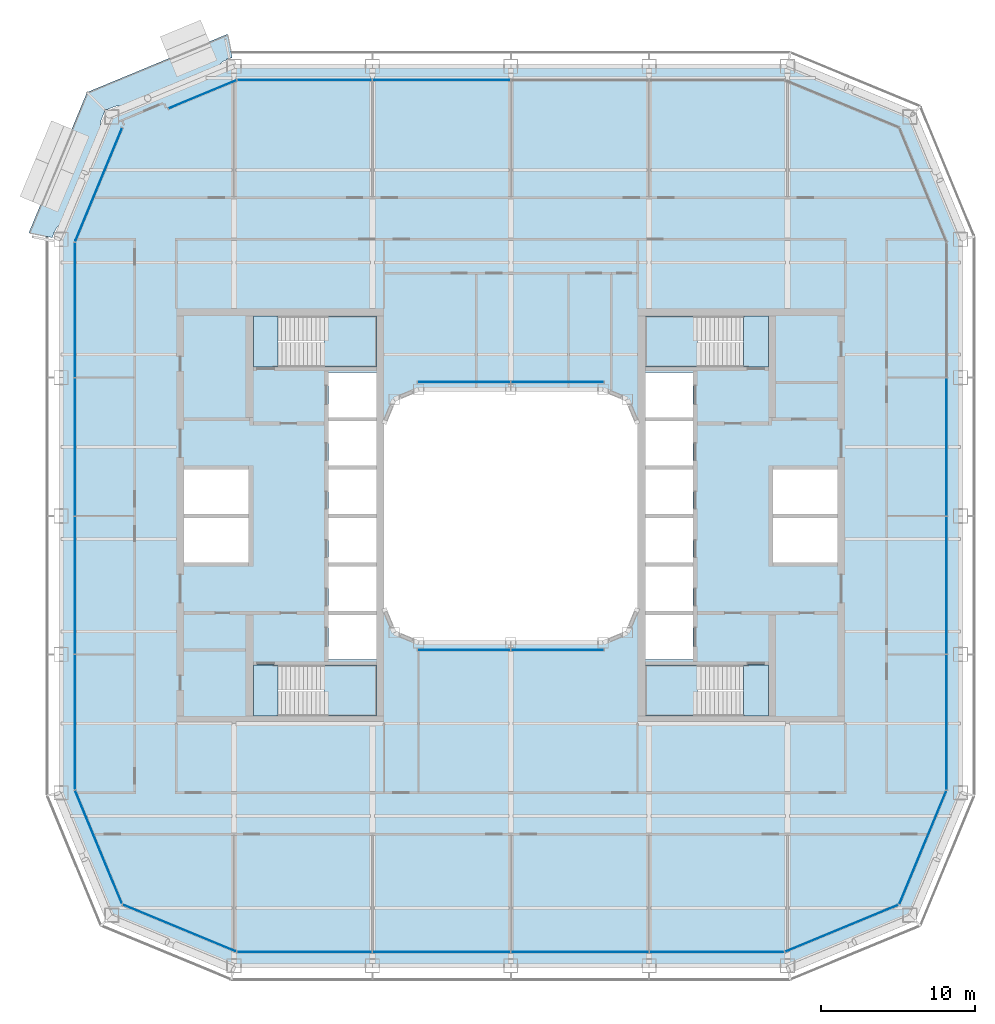
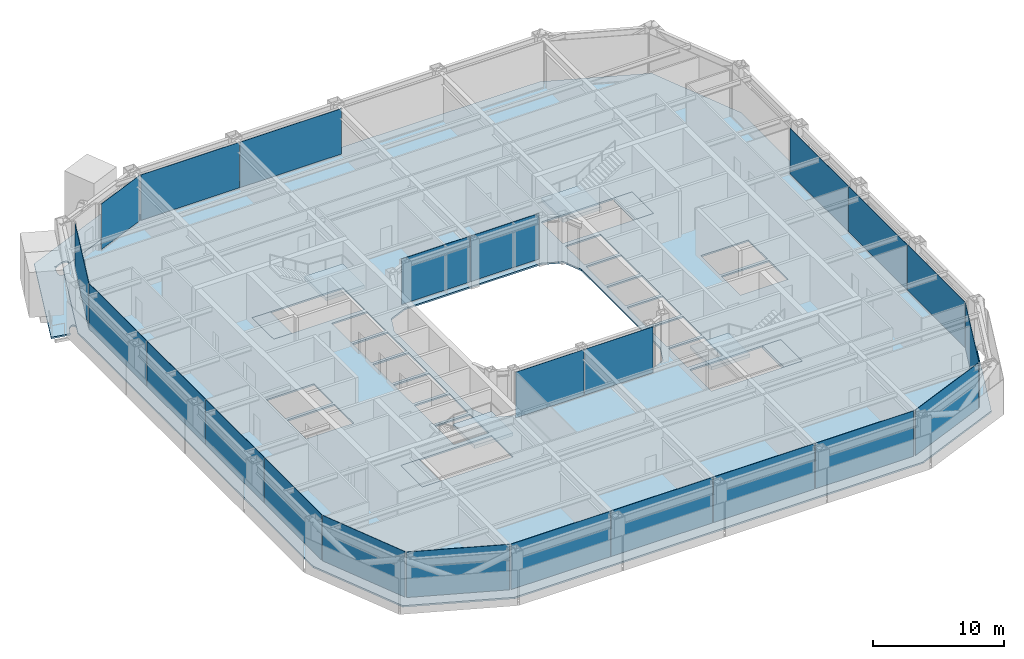
# One storey, part 10 of 23: 23 plates, 10 slabs, 16 elements without a shape of their own.
"""IFC4 building model written with IfcOpenShell, lengths in metres."""

from ifc_helpers import new_model, si_unit, direction, frame, origin, origin_2d, place, context, subcontext, project, spatial, polyline, rectangle, outline, extrude, material, layer, layer_set, type_object, element, aggregate, save


model = new_model("IFC4")

# Units and contexts
model_context = context("Model", 3, precision=1e-05, world=origin(), true_north=direction((0.0, 1.0)))
body_context = subcontext(model_context, "Body", "Model", "MODEL_VIEW")
ifc_project = project(units=[si_unit("LENGTHUNIT", "METRE"), si_unit("AREAUNIT", "SQUARE_METRE"), si_unit("VOLUMEUNIT", "CUBIC_METRE"), si_unit("PLANEANGLEUNIT", "RADIAN"), si_unit("MASSUNIT", "GRAM", prefix="KILO")], contexts=[model_context])

# Site, building, storey
site_placement = place(None, origin())
site = spatial("IfcSite", under=ifc_project, at=site_placement, CompositionType="ELEMENT")
building_placement = place(site_placement, origin())
building = spatial("IfcBuilding", under=site, at=building_placement, Name="Siwar Civic Tower", CompositionType="ELEMENT")
storey_placement = place(building_placement, frame((0.0, 0.0, 118.199951171875)))
storey = spatial("IfcBuildingStorey", under=building, at=storey_placement, Name="L25", CompositionType="ELEMENT", Elevation=118.199951171875)

# Stair, slabs
ifc_material_1 = material(Name="Concrete C40/50", Category="concrete")
stair_type = type_object("IfcStairType", Name="CORE-STAIR", PredefinedType="TWO_STRAIGHT_RUN_STAIR", material=ifc_material_1)
stair_1_placement = place(storey_placement, origin())
stair_1 = element("IfcStair", 1, at=stair_1_placement, inside=storey, type_object=stair_type, Name="Exit stair ST1", PredefinedType="TWO_STRAIGHT_RUN_STAIR")
ifc_material_2 = material(Name="Concrete C40/50", Category="concrete")
ifc_layer_1 = layer(ifc_material_2, 0.300048828125)
ifc_layer_set_1 = layer_set([ifc_layer_1], Name="Concrete C40/50")
slab_type_1 = type_object("IfcSlabType", Name="CORE-STAIR-LANDING", PredefinedType="LANDING", material=ifc_layer_set_1)
slab_1_placement = place(storey_placement, frame((0.0, 0.0, -0.300048828125)))
slab_1 = element("IfcSlab", 2, at=slab_1_placement, type_object=slab_type_1, Name="ST1 landing 1", PredefinedType="LANDING", context=body_context, shape_type="SweptSolid", body=[
    extrude(outline(polyline([(-15.14990234375, 13.0), (-16.75, 13.0), (-16.75, 9.699951171875), (-15.14990234375, 9.699951171875), (-15.14990234375, 13.0)])), origin(), (0.0, 0.0, 1.0), 0.300048828125),
])
slab_2_placement = place(storey_placement, frame((0.0, 0.0, 1.949951171875)))
slab_2 = element("IfcSlab", 3, at=slab_2_placement, type_object=slab_type_1, Name="ST1 landing 2", PredefinedType="LANDING", context=body_context, shape_type="SweptSolid", body=[
    extrude(outline(polyline([(-8.75, 13.0), (-12.139892578125, 13.0), (-12.139892578125, 9.699951171875), (-8.75, 9.699951171875), (-8.75, 13.0)])), origin(), (0.0, 0.0, 1.0), 0.300048828125),
])
aggregate(stair_1, [slab_1, slab_2])

stair_2_placement = place(storey_placement, origin())
stair_2 = element("IfcStair", 4, at=stair_2_placement, inside=storey, type_object=stair_type, Name="Exit stair ST2", PredefinedType="TWO_STRAIGHT_RUN_STAIR")
slab_3_placement = place(storey_placement, frame((0.0, 0.0, -0.300048828125)))
slab_3 = element("IfcSlab", 5, at=slab_3_placement, type_object=slab_type_1, Name="ST2 landing 1", PredefinedType="LANDING", context=body_context, shape_type="SweptSolid", body=[
    extrude(outline(polyline([(-15.14990234375, -9.699951171875), (-16.75, -9.699951171875), (-16.75, -13.0), (-15.14990234375, -13.0), (-15.14990234375, -9.699951171875)])), origin(), (0.0, 0.0, 1.0), 0.300048828125),
])
slab_4_placement = place(storey_placement, frame((0.0, 0.0, 1.949951171875)))
slab_4 = element("IfcSlab", 6, at=slab_4_placement, type_object=slab_type_1, Name="ST2 landing 2", PredefinedType="LANDING", context=body_context, shape_type="SweptSolid", body=[
    extrude(outline(polyline([(-8.75, -9.699951171875), (-12.139892578125, -9.699951171875), (-12.139892578125, -13.0), (-8.75, -13.0), (-8.75, -9.699951171875)])), origin(), (0.0, 0.0, 1.0), 0.300048828125),
])
aggregate(stair_2, [slab_3, slab_4])

stair_3_placement = place(storey_placement, origin())
stair_3 = element("IfcStair", 7, at=stair_3_placement, inside=storey, type_object=stair_type, Name="Exit stair ST3", PredefinedType="TWO_STRAIGHT_RUN_STAIR")
slab_5_placement = place(storey_placement, frame((0.0, 0.0, -0.300048828125)))
slab_5 = element("IfcSlab", 8, at=slab_5_placement, type_object=slab_type_1, Name="ST3 landing 1", PredefinedType="LANDING", context=body_context, shape_type="SweptSolid", body=[
    extrude(outline(polyline([(15.14990234375, 9.699951171875), (16.75, 9.699951171875), (16.75, 13.0), (15.14990234375, 13.0), (15.14990234375, 9.699951171875)])), origin(), (0.0, 0.0, 1.0), 0.300048828125),
])
slab_6_placement = place(storey_placement, frame((0.0, 0.0, 1.949951171875)))
slab_6 = element("IfcSlab", 9, at=slab_6_placement, type_object=slab_type_1, Name="ST3 landing 2", PredefinedType="LANDING", context=body_context, shape_type="SweptSolid", body=[
    extrude(outline(polyline([(8.75, 9.699951171875), (12.139892578125, 9.699951171875), (12.139892578125, 13.0), (8.75, 13.0), (8.75, 9.699951171875)])), origin(), (0.0, 0.0, 1.0), 0.300048828125),
])
aggregate(stair_3, [slab_5, slab_6])

stair_4_placement = place(storey_placement, origin())
stair_4 = element("IfcStair", 10, at=stair_4_placement, inside=storey, type_object=stair_type, Name="Exit stair ST4", PredefinedType="TWO_STRAIGHT_RUN_STAIR")
slab_7_placement = place(storey_placement, frame((0.0, 0.0, -0.300048828125)))
slab_7 = element("IfcSlab", 11, at=slab_7_placement, type_object=slab_type_1, Name="ST4 landing 1", PredefinedType="LANDING", context=body_context, shape_type="SweptSolid", body=[
    extrude(outline(polyline([(15.14990234375, -13.0), (16.75, -13.0), (16.75, -9.699951171875), (15.14990234375, -9.699951171875), (15.14990234375, -13.0)])), origin(), (0.0, 0.0, 1.0), 0.300048828125),
])
slab_8_placement = place(storey_placement, frame((0.0, 0.0, 1.949951171875)))
slab_8 = element("IfcSlab", 12, at=slab_8_placement, type_object=slab_type_1, Name="ST4 landing 2", PredefinedType="LANDING", context=body_context, shape_type="SweptSolid", body=[
    extrude(outline(polyline([(8.75, -13.0), (12.139892578125, -13.0), (12.139892578125, -9.699951171875), (8.75, -9.699951171875), (8.75, -13.0)])), origin(), (0.0, 0.0, 1.0), 0.300048828125),
])
aggregate(stair_4, [slab_7, slab_8])

# Slab
ifc_material_3 = material(Name="Concrete C40/50", Category="concrete")
ifc_layer_2 = layer(ifc_material_3, 0.14990234375)
ifc_layer_set_2 = layer_set([ifc_layer_2], Name="Concrete C40/50")
slab_type_2 = type_object("IfcSlabType", Name="ENV-BALCONY DECK 150", PredefinedType="FLOOR", material=ifc_layer_set_2)
slab_9_placement = place(storey_placement, frame((0.0, 0.0, -0.1494140625)))
element("IfcSlab", 13, at=slab_9_placement, inside=storey, type_object=slab_type_2, Name="Tree balcony deck NW", PredefinedType="FLOOR", context=body_context, shape_type="SweptSolid", body=[
    extrude(outline(polyline([(-26.263427734375, 26.43310546875), (-26.258056640625, 26.435546875), (-26.258056640625, 26.435546875), (-26.24169921875, 26.4423828125), (-25.921875, 26.575439453125), (-25.897216796875, 26.585693359375), (-25.88916015625, 26.589111328125), (-25.88720703125, 26.58984375), (-25.81494140625, 26.617431640625), (-25.81005859375, 26.619140625), (-25.74462890625, 26.639404296875), (-25.740234375, 26.640625), (-25.673583984375, 26.65673828125), (-25.669189453125, 26.65771484375), (-25.601806640625, 26.669921875), (-25.59765625, 26.67041015625), (-25.529541015625, 26.6787109375), (-25.523681640625, 26.67919921875), (-25.517578125, 26.67919921875), (-25.406005859375, 26.6748046875), (-25.397216796875, 26.674072265625), (-25.388671875, 26.672119140625), (-25.345703125, 26.66015625), (-25.34130859375, 26.65869140625), (-25.299072265625, 26.64404296875), (-25.29150390625, 26.640869140625), (-25.284423828125, 26.63720703125), (-25.251220703125, 26.61669921875), (-25.247802734375, 26.614501953125), (-25.216064453125, 26.59228515625), (-25.209716796875, 26.58740234375), (-25.203857421875, 26.581787109375), (-25.19873046875, 26.575439453125), (-25.1943359375, 26.56884765625), (-25.190673828125, 26.561767578125), (-25.177001953125, 26.531494140625), (-25.17529296875, 26.52734375), (-25.16357421875, 26.496337890625), (-25.1611328125, 26.488525390625), (-25.159423828125, 26.480712890625), (-25.15869140625, 26.47265625), (-25.15869140625, 26.464599609375), (-25.15966796875, 26.456787109375), (-25.166259765625, 26.418701171875), (-25.167236328125, 26.41455078125), (-25.176025390625, 26.376708984375), (-25.17822265625, 26.368896484375), (-25.181396484375, 26.361328125), (-25.20068359375, 26.321044921875), (-25.202880859375, 26.31689453125), (-25.224609375, 26.27783203125), (-25.2294921875, 26.2705078125), (-25.23486328125, 26.263671875), (-25.25048828125, 26.246826171875), (-18.724609375, 28.949951171875), (-18.77490234375, 28.951904296875), (-18.783447265625, 28.95263671875), (-18.7919921875, 28.95458984375), (-18.835205078125, 28.966552734375), (-18.839599609375, 28.968017578125), (-18.8818359375, 28.982666015625), (-18.889404296875, 28.98583984375), (-18.896484375, 28.98974609375), (-18.9296875, 29.010009765625), (-18.935302734375, 29.013916015625), (-18.940673828125, 29.018310546875), (-18.945556640625, 29.023193359375), (-18.968994140625, 29.048583984375), (-18.971923828125, 29.052001953125), (-18.99365234375, 29.078857421875), (-18.998046875, 29.084716796875), (-19.001708984375, 29.0908203125), (-19.0048828125, 29.097412109375), (-19.00732421875, 29.104248046875), (-19.009033203125, 29.111083984375), (-19.01025390625, 29.118408203125), (-19.013671875, 29.15283203125), (-19.01416015625, 29.1572265625), (-19.015625, 29.19189453125), (-19.015625, 29.19873046875), (-19.01513671875, 29.20556640625), (-19.013671875, 29.21240234375), (-19.0048828125, 29.25), (-19.002685546875, 29.2578125), (-18.99951171875, 29.265380859375), (-18.980224609375, 29.305908203125), (-18.97802734375, 29.309814453125), (-18.956298828125, 29.348876953125), (-18.951416015625, 29.356201171875), (-18.946044921875, 29.363037109375), (-18.870361328125, 29.4453125), (-18.865966796875, 29.44970703125), (-18.861572265625, 29.453369140625), (-18.8076171875, 29.495849609375), (-18.80419921875, 29.498291015625), (-18.748046875, 29.53759765625), (-18.744384765625, 29.5400390625), (-18.68603515625, 29.575927734375), (-18.681884765625, 29.578369140625), (-18.62158203125, 29.610595703125), (-18.616943359375, 29.61279296875), (-18.54638671875, 29.64453125), (-18.54443359375, 29.645263671875), (-18.4951171875, 29.665771484375), (-18.47509765625, 29.674072265625), (-18.47509765625, 29.72509765625), (-18.352783203125, 29.72509765625), (-18.314697265625, 29.740966796875), (-18.232666015625, 29.775146484375), (-18.19970703125, 29.788818359375), (-18.175048828125, 29.798828125), (-18.175048828125, 29.798828125), (-18.16748046875, 29.8017578125), (-18.148193359375, 29.807373046875), (-18.140625, 29.80908203125), (-18.1328125, 29.81005859375), (-18.1123046875, 29.8115234375), (-18.11181640625, 29.8115234375), (-18.417724609375, 31.35009765625), (-27.562255859375, 27.562255859375), (-31.35009765625, 18.417724609375), (-29.80810546875, 18.111083984375), (-29.808349609375, 18.114013671875), (-29.80859375, 18.13037109375), (-29.808349609375, 18.136962890625), (-29.8076171875, 18.1435546875), (-29.80615234375, 18.150146484375), (-29.80224609375, 18.1650390625), (-29.798828125, 18.175048828125), (-29.788818359375, 18.19970703125), (-29.755615234375, 18.279052734375), (-29.740966796875, 18.314697265625), (-29.72509765625, 18.352783203125), (-29.72509765625, 18.47509765625), (-29.674072265625, 18.47509765625), (-29.665771484375, 18.4951171875), (-29.645263671875, 18.54443359375), (-29.64453125, 18.54638671875), (-29.61279296875, 18.616943359375), (-29.610595703125, 18.62158203125), (-29.578369140625, 18.681884765625), (-29.575927734375, 18.68603515625), (-29.5400390625, 18.744384765625), (-29.53759765625, 18.748046875), (-29.498291015625, 18.80419921875), (-29.495849609375, 18.8076171875), (-29.453369140625, 18.861572265625), (-29.44970703125, 18.865966796875), (-29.4453125, 18.870361328125), (-29.363037109375, 18.946044921875), (-29.356201171875, 18.951416015625), (-29.348876953125, 18.956298828125), (-29.309814453125, 18.97802734375), (-29.305908203125, 18.980224609375), (-29.265380859375, 18.99951171875), (-29.2578125, 19.002685546875), (-29.25, 19.0048828125), (-29.21240234375, 19.013671875), (-29.20556640625, 19.01513671875), (-29.19873046875, 19.015625), (-29.19189453125, 19.015625), (-29.1572265625, 19.01416015625), (-29.15283203125, 19.013671875), (-29.118408203125, 19.01025390625), (-29.111083984375, 19.009033203125), (-29.104248046875, 19.00732421875), (-29.097412109375, 19.0048828125), (-29.0908203125, 19.001708984375), (-29.084716796875, 18.998046875), (-29.078857421875, 18.99365234375), (-29.052001953125, 18.971923828125), (-29.048583984375, 18.968994140625), (-29.023193359375, 18.945556640625), (-29.018310546875, 18.940673828125), (-29.013916015625, 18.935302734375), (-29.010009765625, 18.9296875), (-28.98974609375, 18.896484375), (-28.98583984375, 18.889404296875), (-28.982666015625, 18.8818359375), (-28.968017578125, 18.839599609375), (-28.966552734375, 18.835205078125), (-28.95458984375, 18.7919921875), (-28.95263671875, 18.783447265625), (-28.951904296875, 18.77490234375), (-28.949951171875, 18.724609375), (-26.246826171875, 25.25048828125), (-26.263671875, 25.23486328125), (-26.2705078125, 25.2294921875), (-26.27783203125, 25.224609375), (-26.31689453125, 25.202880859375), (-26.321044921875, 25.20068359375), (-26.361328125, 25.181396484375), (-26.368896484375, 25.17822265625), (-26.376708984375, 25.176025390625), (-26.41455078125, 25.167236328125), (-26.418701171875, 25.166259765625), (-26.456787109375, 25.15966796875), (-26.464599609375, 25.15869140625), (-26.47265625, 25.15869140625), (-26.480712890625, 25.159423828125), (-26.488525390625, 25.1611328125), (-26.496337890625, 25.16357421875), (-26.52734375, 25.17529296875), (-26.531494140625, 25.177001953125), (-26.561767578125, 25.190673828125), (-26.56884765625, 25.1943359375), (-26.575439453125, 25.19873046875), (-26.581787109375, 25.203857421875), (-26.58740234375, 25.209716796875), (-26.59228515625, 25.216064453125), (-26.614501953125, 25.247802734375), (-26.61669921875, 25.251220703125), (-26.63720703125, 25.284423828125), (-26.640869140625, 25.29150390625), (-26.64404296875, 25.299072265625), (-26.65869140625, 25.34130859375), (-26.66015625, 25.345703125), (-26.672119140625, 25.388671875), (-26.674072265625, 25.397216796875), (-26.6748046875, 25.406005859375), (-26.67919921875, 25.517578125), (-26.67919921875, 25.523681640625), (-26.6787109375, 25.529541015625), (-26.67041015625, 25.59765625), (-26.669921875, 25.601806640625), (-26.65771484375, 25.669189453125), (-26.65673828125, 25.673583984375), (-26.640625, 25.740234375), (-26.639404296875, 25.74462890625), (-26.619140625, 25.81005859375), (-26.617431640625, 25.81494140625), (-26.58984375, 25.88720703125), (-26.589111328125, 25.88916015625), (-26.585693359375, 25.897216796875), (-26.575439453125, 25.921875), (-26.4423828125, 26.24169921875), (-26.435546875, 26.258056640625), (-26.4306640625, 26.267578125), (-26.429931640625, 26.268798828125), (-26.429931640625, 26.429931640625), (-26.26953125, 26.429931640625), (-26.263427734375, 26.43310546875)])), origin(), (0.0, 0.0, 1.0), 0.1494140625),
])

# Curtain wall, plates
ifc_material_4 = material(Name="Aluminium and glass", Category="aluminium")
ifc_layer_3 = layer(ifc_material_4, 0.199951171875)
ifc_layer_set_3 = layer_set([ifc_layer_3], Name="Aluminium and glass")
curtain_wall_type_1 = type_object("IfcCurtainWallType", Name="ENV-CW-B", PredefinedType="NOTDEFINED", material=ifc_layer_set_3)
curtain_wall_1_placement = place(storey_placement, origin())
curtain_wall_1 = element("IfcCurtainWall", 14, at=curtain_wall_1_placement, inside=storey, type_object=curtain_wall_type_1, Name="Curtain wall B S", PredefinedType="NOTDEFINED")
ifc_material_5 = material(Name="Glass clear laminated", Category="glass")
ifc_layer_4 = layer(ifc_material_5, 0.033935546875)
ifc_layer_set_4 = layer_set([ifc_layer_4], Name="Glass clear laminated")
plate_type_1 = type_object("IfcPlateType", Name="ENV-PANEL-B", PredefinedType="CURTAIN_PANEL", material=ifc_layer_set_4)
plate_1_placement = place(storey_placement, frame((-13.410400390625, -28.35009765625, 0.10986328125), z_axis=(0.0, 0.0, 1.0), x_axis=(1.0, 0.0, 0.0)))
plate_1 = element("IfcPlate", 15, at=plate_1_placement, type_object=plate_type_1, Name="Curtain panel B S 1", PredefinedType="CURTAIN_PANEL", context=body_context, shape_type="SweptSolid", body=[
    extrude(rectangle(XDim=8.755859375, YDim=0.033935546875, at=origin_2d()), origin(), (0.0, 0.0, 1.0), 4.239990234375),
])
plate_2_placement = place(storey_placement, frame((-4.5, -28.35009765625, 0.10986328125), z_axis=(0.0, 0.0, 1.0), x_axis=(1.0, 0.0, 0.0)))
plate_2 = element("IfcPlate", 16, at=plate_2_placement, type_object=plate_type_1, Name="Curtain panel B S 2", PredefinedType="CURTAIN_PANEL", context=body_context, shape_type="SweptSolid", body=[
    extrude(rectangle(XDim=8.93505859375, YDim=0.033935546875, at=origin_2d()), origin(), (0.0, 0.0, 1.0), 4.239990234375),
])
plate_3_placement = place(storey_placement, frame((4.5, -28.35009765625, 0.10986328125), z_axis=(0.0, 0.0, 1.0), x_axis=(1.0, 0.0, 0.0)))
plate_3 = element("IfcPlate", 17, at=plate_3_placement, type_object=plate_type_1, Name="Curtain panel B S 3", PredefinedType="CURTAIN_PANEL", context=body_context, shape_type="SweptSolid", body=[
    extrude(rectangle(XDim=8.93505859375, YDim=0.033935546875, at=origin_2d()), origin(), (0.0, 0.0, 1.0), 4.239990234375),
])
plate_4_placement = place(storey_placement, frame((13.369873046875, -28.35009765625, 0.10986328125), z_axis=(0.0, 0.0, 1.0), x_axis=(1.0, 0.0, 0.0)))
plate_4 = element("IfcPlate", 18, at=plate_4_placement, type_object=plate_type_1, Name="Curtain panel B S 4", PredefinedType="CURTAIN_PANEL", context=body_context, shape_type="SweptSolid", body=[
    extrude(rectangle(XDim=8.6748046875, YDim=0.033935546875, at=origin_2d()), origin(), (0.0, 0.0, 1.0), 4.239990234375),
])
aggregate(curtain_wall_1, [plate_1, plate_2, plate_3, plate_4])

curtain_wall_2_placement = place(storey_placement, origin())
curtain_wall_2 = element("IfcCurtainWall", 19, at=curtain_wall_2_placement, inside=storey, type_object=curtain_wall_type_1, Name="Curtain wall B E", PredefinedType="NOTDEFINED")
plate_5_placement = place(storey_placement, frame((28.35009765625, -13.410400390625, 0.10986328125), z_axis=(0.0, 0.0, 1.0), x_axis=(0.0, 1.0, 0.0)))
plate_5 = element("IfcPlate", 20, at=plate_5_placement, type_object=plate_type_1, Name="Curtain panel B E 1", PredefinedType="CURTAIN_PANEL", context=body_context, shape_type="SweptSolid", body=[
    extrude(rectangle(XDim=8.755859375, YDim=0.033935546875, at=origin_2d()), origin(), (0.0, 0.0, 1.0), 4.239990234375),
])
plate_6_placement = place(storey_placement, frame((28.35009765625, -4.5, 0.10986328125), z_axis=(0.0, 0.0, 1.0), x_axis=(0.0, 1.0, 0.0)))
plate_6 = element("IfcPlate", 21, at=plate_6_placement, type_object=plate_type_1, Name="Curtain panel B E 2", PredefinedType="CURTAIN_PANEL", context=body_context, shape_type="SweptSolid", body=[
    extrude(rectangle(XDim=8.93505859375, YDim=0.033935546875, at=origin_2d()), origin(), (0.0, 0.0, 1.0), 4.239990234375),
])
plate_7_placement = place(storey_placement, frame((28.35009765625, 4.5, 0.10986328125), z_axis=(0.0, 0.0, 1.0), x_axis=(0.0, 1.0, 0.0)))
plate_7 = element("IfcPlate", 22, at=plate_7_placement, type_object=plate_type_1, Name="Curtain panel B E 3", PredefinedType="CURTAIN_PANEL", context=body_context, shape_type="SweptSolid", body=[
    extrude(rectangle(XDim=8.93505859375, YDim=0.033935546875, at=origin_2d()), origin(), (0.0, 0.0, 1.0), 4.239990234375),
])
aggregate(curtain_wall_2, [plate_5, plate_6, plate_7])

curtain_wall_3_placement = place(storey_placement, origin())
curtain_wall_3 = element("IfcCurtainWall", 23, at=curtain_wall_3_placement, inside=storey, type_object=curtain_wall_type_1, Name="Curtain wall B N", PredefinedType="NOTDEFINED")
plate_8_placement = place(storey_placement, frame((-4.5, 28.35009765625, 0.10986328125), z_axis=(0.0, 0.0, 1.0), x_axis=(-1.0, 0.0, 0.0)))
plate_8 = element("IfcPlate", 24, at=plate_8_placement, type_object=plate_type_1, Name="Curtain panel B N 3", PredefinedType="CURTAIN_PANEL", context=body_context, shape_type="SweptSolid", body=[
    extrude(rectangle(XDim=8.93505859375, YDim=0.033935546875, at=origin_2d()), origin(), (0.0, 0.0, 1.0), 4.239990234375),
])
plate_9_placement = place(storey_placement, frame((-13.369873046875, 28.35009765625, 0.10986328125), z_axis=(0.0, 0.0, 1.0), x_axis=(-1.0, 0.0, 0.0)))
plate_9 = element("IfcPlate", 25, at=plate_9_placement, type_object=plate_type_1, Name="Curtain panel B N 4", PredefinedType="CURTAIN_PANEL", context=body_context, shape_type="SweptSolid", body=[
    extrude(rectangle(XDim=8.6748046875, YDim=0.033935546875, at=origin_2d()), origin(), (0.0, 0.0, 1.0), 4.239990234375),
])
aggregate(curtain_wall_3, [plate_8, plate_9])

curtain_wall_4_placement = place(storey_placement, origin())
curtain_wall_4 = element("IfcCurtainWall", 26, at=curtain_wall_4_placement, inside=storey, type_object=curtain_wall_type_1, Name="Curtain wall B W", PredefinedType="NOTDEFINED")
plate_10_placement = place(storey_placement, frame((-28.35009765625, 13.410400390625, 0.10986328125), z_axis=(0.0, 0.0, 1.0), x_axis=(0.0, -1.0, 0.0)))
plate_10 = element("IfcPlate", 27, at=plate_10_placement, type_object=plate_type_1, Name="Curtain panel B W 1", PredefinedType="CURTAIN_PANEL", context=body_context, shape_type="SweptSolid", body=[
    extrude(rectangle(XDim=8.755859375, YDim=0.033935546875, at=origin_2d()), origin(), (0.0, 0.0, 1.0), 4.239990234375),
])
plate_11_placement = place(storey_placement, frame((-28.35009765625, 4.5, 0.10986328125), z_axis=(0.0, 0.0, 1.0), x_axis=(0.0, -1.0, 0.0)))
plate_11 = element("IfcPlate", 28, at=plate_11_placement, type_object=plate_type_1, Name="Curtain panel B W 2", PredefinedType="CURTAIN_PANEL", context=body_context, shape_type="SweptSolid", body=[
    extrude(rectangle(XDim=8.93505859375, YDim=0.033935546875, at=origin_2d()), origin(), (0.0, 0.0, 1.0), 4.239990234375),
])
plate_12_placement = place(storey_placement, frame((-28.35009765625, -4.5, 0.10986328125), z_axis=(0.0, 0.0, 1.0), x_axis=(0.0, -1.0, 0.0)))
plate_12 = element("IfcPlate", 29, at=plate_12_placement, type_object=plate_type_1, Name="Curtain panel B W 3", PredefinedType="CURTAIN_PANEL", context=body_context, shape_type="SweptSolid", body=[
    extrude(rectangle(XDim=8.93505859375, YDim=0.033935546875, at=origin_2d()), origin(), (0.0, 0.0, 1.0), 4.239990234375),
])
plate_13_placement = place(storey_placement, frame((-28.35009765625, -13.369873046875, 0.10986328125), z_axis=(0.0, 0.0, 1.0), x_axis=(0.0, -1.0, 0.0)))
plate_13 = element("IfcPlate", 30, at=plate_13_placement, type_object=plate_type_1, Name="Curtain panel B W 4", PredefinedType="CURTAIN_PANEL", context=body_context, shape_type="SweptSolid", body=[
    extrude(rectangle(XDim=8.6748046875, YDim=0.033935546875, at=origin_2d()), origin(), (0.0, 0.0, 1.0), 4.239990234375),
])
aggregate(curtain_wall_4, [plate_10, plate_11, plate_12, plate_13])

# Curtain wall, plate
ifc_material_6 = material(Name="Aluminium clad insulated panel", Category="aluminium")
ifc_layer_5 = layer(ifc_material_6, 0.199951171875)
ifc_layer_set_5 = layer_set([ifc_layer_5], Name="Aluminium clad insulated panel")
curtain_wall_type_2 = type_object("IfcCurtainWallType", Name="ENV-CW-BX", PredefinedType="NOTDEFINED", material=ifc_layer_set_5)
curtain_wall_5_placement = place(storey_placement, origin())
curtain_wall_5 = element("IfcCurtainWall", 31, at=curtain_wall_5_placement, inside=storey, type_object=curtain_wall_type_2, Name="Curtain wall B SE1", PredefinedType="NOTDEFINED")
ifc_material_7 = material(Name="Aluminium clad insulated panel", Category="aluminium")
ifc_layer_6 = layer(ifc_material_7, 0.033935546875)
ifc_layer_set_6 = layer_set([ifc_layer_6], Name="Aluminium clad insulated panel")
plate_type_2 = type_object("IfcPlateType", Name="ENV-PANEL-BX", PredefinedType="CURTAIN_PANEL", material=ifc_layer_set_6)
plate_14_placement = place(storey_placement, frame((21.506103515625, -26.823486328125, 0.10986328125), z_axis=(0.0, 0.0, 1.0), x_axis=(0.923879532511, 0.382683432365, 0.0)))
plate_14 = element("IfcPlate", 32, at=plate_14_placement, type_object=plate_type_2, Name="Curtain panel B SE1 1", PredefinedType="CURTAIN_PANEL", context=body_context, shape_type="SweptSolid", body=[
    extrude(rectangle(XDim=7.912353515625, YDim=0.033935546875, at=origin_2d()), origin(), (0.0, 0.0, 1.0), 4.239990234375),
])
aggregate(curtain_wall_5, [plate_14])

curtain_wall_6_placement = place(storey_placement, origin())
curtain_wall_6 = element("IfcCurtainWall", 33, at=curtain_wall_6_placement, inside=storey, type_object=curtain_wall_type_2, Name="Curtain wall B SE2", PredefinedType="NOTDEFINED")
plate_15_placement = place(storey_placement, frame((26.79248046875, -21.5810546875, 0.10986328125), z_axis=(0.0, 0.0, 1.0), x_axis=(0.382683432365, 0.923879532511, 0.0)))
plate_15 = element("IfcPlate", 34, at=plate_15_placement, type_object=plate_type_2, Name="Curtain panel B SE2 1", PredefinedType="CURTAIN_PANEL", context=body_context, shape_type="SweptSolid", body=[
    extrude(rectangle(XDim=7.912353515625, YDim=0.033935546875, at=origin_2d()), origin(), (0.0, 0.0, 1.0), 4.239990234375),
])
aggregate(curtain_wall_6, [plate_15])

curtain_wall_7_placement = place(storey_placement, origin())
curtain_wall_7 = element("IfcCurtainWall", 35, at=curtain_wall_7_placement, inside=storey, type_object=curtain_wall_type_2, Name="Curtain wall B NW1", PredefinedType="NOTDEFINED")
plate_16_placement = place(storey_placement, frame((-20.06005859375, 27.422607421875, 0.10986328125), z_axis=(0.0, 0.0, 1.0), x_axis=(-0.923879532511, -0.382683432365, 0.0)))
plate_16 = element("IfcPlate", 36, at=plate_16_placement, type_object=plate_type_2, Name="Curtain panel B NW1 1", PredefinedType="CURTAIN_PANEL", context=body_context, shape_type="SweptSolid", body=[
    extrude(rectangle(XDim=4.7822265625, YDim=0.033935546875, at=origin_2d()), origin(), (0.0, 0.0, 1.0), 4.239990234375),
])
aggregate(curtain_wall_7, [plate_16])

curtain_wall_8_placement = place(storey_placement, origin())
curtain_wall_8 = element("IfcCurtainWall", 37, at=curtain_wall_8_placement, inside=storey, type_object=curtain_wall_type_2, Name="Curtain wall B NW2", PredefinedType="NOTDEFINED")
plate_17_placement = place(storey_placement, frame((-26.79248046875, 21.5810546875, 0.10986328125), z_axis=(0.0, 0.0, 1.0), x_axis=(-0.382683432365, -0.923879532511, 0.0)))
plate_17 = element("IfcPlate", 38, at=plate_17_placement, type_object=plate_type_2, Name="Curtain panel B NW2 1", PredefinedType="CURTAIN_PANEL", context=body_context, shape_type="SweptSolid", body=[
    extrude(rectangle(XDim=7.912353515625, YDim=0.033935546875, at=origin_2d()), origin(), (0.0, 0.0, 1.0), 4.239990234375),
])
aggregate(curtain_wall_8, [plate_17])

curtain_wall_9_placement = place(storey_placement, origin())
curtain_wall_9 = element("IfcCurtainWall", 39, at=curtain_wall_9_placement, inside=storey, type_object=curtain_wall_type_2, Name="Curtain wall B SW1", PredefinedType="NOTDEFINED")
plate_18_placement = place(storey_placement, frame((-26.823486328125, -21.506103515625, 0.10986328125), z_axis=(0.0, 0.0, 1.0), x_axis=(0.382683432365, -0.923879532511, 0.0)))
plate_18 = element("IfcPlate", 40, at=plate_18_placement, type_object=plate_type_2, Name="Curtain panel B SW1 1", PredefinedType="CURTAIN_PANEL", context=body_context, shape_type="SweptSolid", body=[
    extrude(rectangle(XDim=7.912353515625, YDim=0.033935546875, at=origin_2d()), origin(), (0.0, 0.0, 1.0), 4.239990234375),
])
aggregate(curtain_wall_9, [plate_18])

curtain_wall_10_placement = place(storey_placement, origin())
curtain_wall_10 = element("IfcCurtainWall", 41, at=curtain_wall_10_placement, inside=storey, type_object=curtain_wall_type_2, Name="Curtain wall B SW2", PredefinedType="NOTDEFINED")
plate_19_placement = place(storey_placement, frame((-21.5810546875, -26.79248046875, 0.10986328125), z_axis=(0.0, 0.0, 1.0), x_axis=(0.923879532511, -0.382683432365, 0.0)))
plate_19 = element("IfcPlate", 42, at=plate_19_placement, type_object=plate_type_2, Name="Curtain panel B SW2 1", PredefinedType="CURTAIN_PANEL", context=body_context, shape_type="SweptSolid", body=[
    extrude(rectangle(XDim=7.912353515625, YDim=0.033935546875, at=origin_2d()), origin(), (0.0, 0.0, 1.0), 4.239990234375),
])
aggregate(curtain_wall_10, [plate_19])

# Curtain wall, plates
ifc_material_8 = material(Name="Aluminium and glass", Category="aluminium")
ifc_layer_7 = layer(ifc_material_8, 0.179931640625)
ifc_layer_set_7 = layer_set([ifc_layer_7], Name="Aluminium and glass")
curtain_wall_type_3 = type_object("IfcCurtainWallType", Name="ENV-CW-W", PredefinedType="NOTDEFINED", material=ifc_layer_set_7)
curtain_wall_11_placement = place(storey_placement, origin())
curtain_wall_11 = element("IfcCurtainWall", 43, at=curtain_wall_11_placement, inside=storey, type_object=curtain_wall_type_3, Name="Curtain wall W WS", PredefinedType="NOTDEFINED")
ifc_material_9 = material(Name="Glass clear laminated", Category="glass")
ifc_layer_8 = layer(ifc_material_9, 0.031982421875)
ifc_layer_set_8 = layer_set([ifc_layer_8], Name="Glass clear laminated")
plate_type_3 = type_object("IfcPlateType", Name="ENV-PANEL-W", PredefinedType="CURTAIN_PANEL", material=ifc_layer_set_8)
plate_20_placement = place(storey_placement, frame((-3.045654296875, -8.7099609375, 0.10009765625), z_axis=(0.0, 0.0, 1.0), x_axis=(1.0, 0.0, 0.0)))
plate_20 = element("IfcPlate", 44, at=plate_20_placement, type_object=plate_type_3, Name="Curtain panel W WS 1", PredefinedType="CURTAIN_PANEL", context=body_context, shape_type="SweptSolid", body=[
    extrude(rectangle(XDim=6.031494140625, YDim=0.031982421875, at=origin_2d()), origin(), (0.0, 0.0, 1.0), 4.25),
])
plate_21_placement = place(storey_placement, frame((3.045654296875, -8.7099609375, 0.10009765625), z_axis=(0.0, 0.0, 1.0), x_axis=(1.0, 0.0, 0.0)))
plate_21 = element("IfcPlate", 45, at=plate_21_placement, type_object=plate_type_3, Name="Curtain panel W WS 2", PredefinedType="CURTAIN_PANEL", context=body_context, shape_type="SweptSolid", body=[
    extrude(rectangle(XDim=6.031494140625, YDim=0.031982421875, at=origin_2d()), origin(), (0.0, 0.0, 1.0), 4.25),
])
aggregate(curtain_wall_11, [plate_20, plate_21])

curtain_wall_12_placement = place(storey_placement, origin())
curtain_wall_12 = element("IfcCurtainWall", 46, at=curtain_wall_12_placement, inside=storey, type_object=curtain_wall_type_3, Name="Curtain wall W WN", PredefinedType="NOTDEFINED")
plate_22_placement = place(storey_placement, frame((3.045654296875, 8.7099609375, 0.10009765625), z_axis=(0.0, 0.0, 1.0), x_axis=(-1.0, 0.0, 0.0)))
plate_22 = element("IfcPlate", 47, at=plate_22_placement, type_object=plate_type_3, Name="Curtain panel W WN 1", PredefinedType="CURTAIN_PANEL", context=body_context, shape_type="SweptSolid", body=[
    extrude(rectangle(XDim=6.031494140625, YDim=0.031982421875, at=origin_2d()), origin(), (0.0, 0.0, 1.0), 4.25),
])
plate_23_placement = place(storey_placement, frame((-3.045654296875, 8.7099609375, 0.10009765625), z_axis=(0.0, 0.0, 1.0), x_axis=(-1.0, 0.0, 0.0)))
plate_23 = element("IfcPlate", 48, at=plate_23_placement, type_object=plate_type_3, Name="Curtain panel W WN 2", PredefinedType="CURTAIN_PANEL", context=body_context, shape_type="SweptSolid", body=[
    extrude(rectangle(XDim=6.031494140625, YDim=0.031982421875, at=origin_2d()), origin(), (0.0, 0.0, 1.0), 4.25),
])
aggregate(curtain_wall_12, [plate_22, plate_23])

# Slab
ifc_material_10 = material(Name="Concrete C40/50", Category="concrete")
ifc_layer_9 = layer(ifc_material_10, 0.14990234375)
ifc_layer_set_9 = layer_set([ifc_layer_9], Name="Concrete C40/50")
slab_type_3 = type_object("IfcSlabType", Name="STR-FLOOR-DECK-150", PredefinedType="FLOOR", material=ifc_layer_set_9)
slab_10_placement = place(storey_placement, frame((0.0, 0.0, -0.14990234375)))
element("IfcSlab", 49, at=slab_10_placement, inside=storey, type_object=slab_type_3, Name="L25/slab/1", PredefinedType="FLOOR", context=body_context, shape_type="SweptSolid", body=[
    extrude(outline(polyline([(-18.0, -29.25), (18.0, -29.25), (25.954833984375, -25.954833984375), (29.25, -18.0), (29.25, 18.0), (25.954833984375, 25.954833984375), (18.0, 29.25), (-18.0, 29.25), (-25.954833984375, 25.954833984375), (-29.25, 18.0), (-29.25, -18.0), (-25.954833984375, -25.954833984375), (-18.0, -29.25)]), holes=[polyline([(21.25, 3.02490234375), (21.25, 0.125), (17.050048828125, 0.125), (17.050048828125, 3.02490234375), (21.25, 3.02490234375)]), polyline([(17.050048828125, -0.125), (21.25, -0.125), (21.25, -3.02490234375), (17.050048828125, -3.02490234375), (17.050048828125, -0.125)]), polyline([(16.75, 13.0), (16.75, 9.699951171875), (8.75, 9.699951171875), (8.75, 13.0), (16.75, 13.0)]), polyline([(8.75, -9.699951171875), (16.75, -9.699951171875), (16.75, -13.0), (8.75, -13.0), (8.75, -9.699951171875)]), polyline([(11.85009765625, 9.324951171875), (11.85009765625, 6.425048828125), (8.75, 6.425048828125), (8.75, 9.324951171875), (11.85009765625, 9.324951171875)]), polyline([(11.85009765625, 3.02490234375), (11.85009765625, 0.125), (8.75, 0.125), (8.75, 3.02490234375), (11.85009765625, 3.02490234375)]), polyline([(11.85009765625, -0.125), (11.85009765625, -3.02490234375), (8.75, -3.02490234375), (8.75, -0.125), (11.85009765625, -0.125)]), polyline([(11.85009765625, -3.27490234375), (11.85009765625, -6.175048828125), (8.75, -6.175048828125), (8.75, -3.27490234375), (11.85009765625, -3.27490234375)]), polyline([(8.75, 6.175048828125), (11.85009765625, 6.175048828125), (11.85009765625, 3.27490234375), (8.75, 3.27490234375), (8.75, 6.175048828125)]), polyline([(8.75, -6.425048828125), (11.85009765625, -6.425048828125), (11.85009765625, -9.324951171875), (8.75, -9.324951171875), (8.75, -6.425048828125)]), polyline([(-6.0, 8.25), (6.0, 8.25), (7.591064453125, 7.591064453125), (8.25, 6.0), (8.25, -6.0), (7.591064453125, -7.591064453125), (6.0, -8.25), (-6.0, -8.25), (-7.591064453125, -7.591064453125), (-8.25, -6.0), (-8.25, 6.0), (-7.591064453125, 7.591064453125), (-6.0, 8.25)]), polyline([(-8.75, 9.699951171875), (-16.75, 9.699951171875), (-16.75, 13.0), (-8.75, 13.0), (-8.75, 9.699951171875)]), polyline([(-8.75, 0.125), (-11.85009765625, 0.125), (-11.85009765625, 3.02490234375), (-8.75, 3.02490234375), (-8.75, 0.125)]), polyline([(-8.75, -6.175048828125), (-11.85009765625, -6.175048828125), (-11.85009765625, -3.27490234375), (-8.75, -3.27490234375), (-8.75, -6.175048828125)]), polyline([(-8.75, -9.324951171875), (-11.85009765625, -9.324951171875), (-11.85009765625, -6.425048828125), (-8.75, -6.425048828125), (-8.75, -9.324951171875)]), polyline([(-8.75, -13.0), (-16.75, -13.0), (-16.75, -9.699951171875), (-8.75, -9.699951171875), (-8.75, -13.0)]), polyline([(-11.85009765625, 6.425048828125), (-11.85009765625, 9.324951171875), (-8.75, 9.324951171875), (-8.75, 6.425048828125), (-11.85009765625, 6.425048828125)]), polyline([(-11.85009765625, 3.27490234375), (-11.85009765625, 6.175048828125), (-8.75, 6.175048828125), (-8.75, 3.27490234375), (-11.85009765625, 3.27490234375)]), polyline([(-11.85009765625, -3.02490234375), (-11.85009765625, -0.125), (-8.75, -0.125), (-8.75, -3.02490234375), (-11.85009765625, -3.02490234375)]), polyline([(-21.25, -3.02490234375), (-21.25, -0.125), (-17.050048828125, -0.125), (-17.050048828125, -3.02490234375), (-21.25, -3.02490234375)]), polyline([(-17.050048828125, 0.125), (-21.25, 0.125), (-21.25, 3.02490234375), (-17.050048828125, 3.02490234375), (-17.050048828125, 0.125)])]), origin(), (0.0, 0.0, 1.0), 0.14990234375),
])

save(model, "model.ifc")
